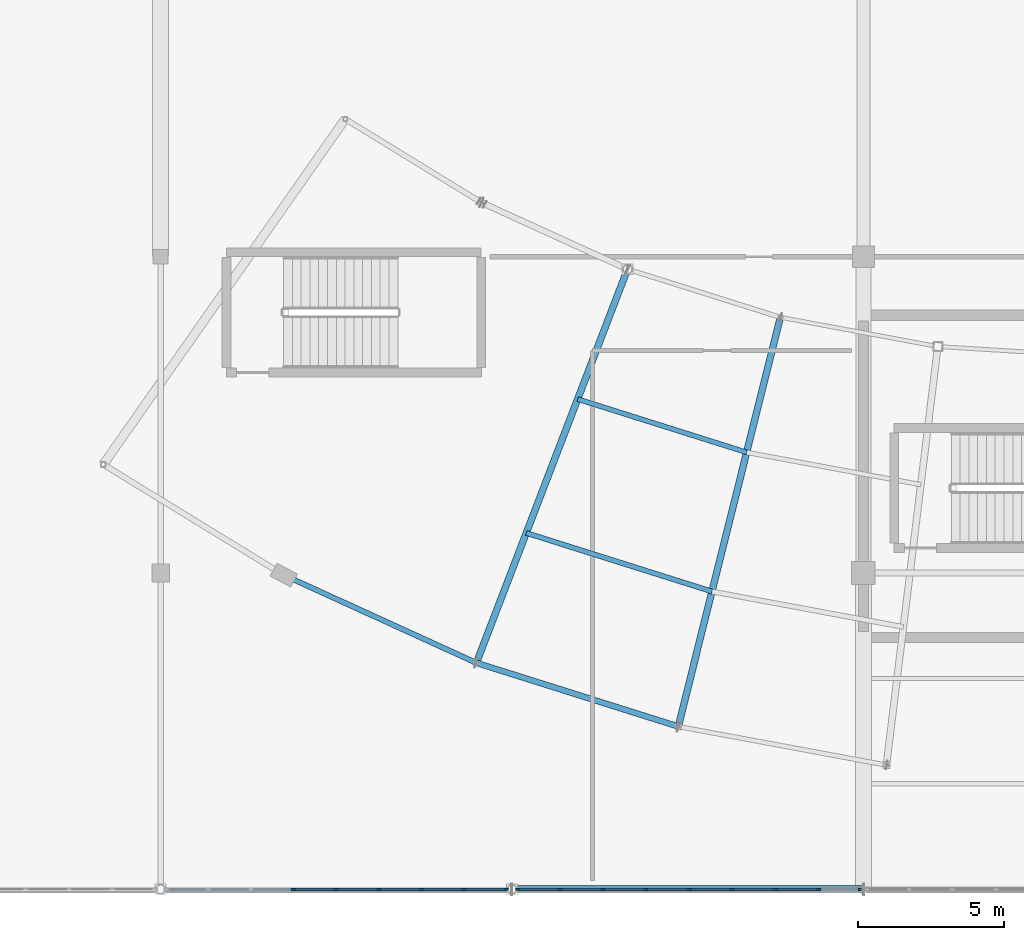
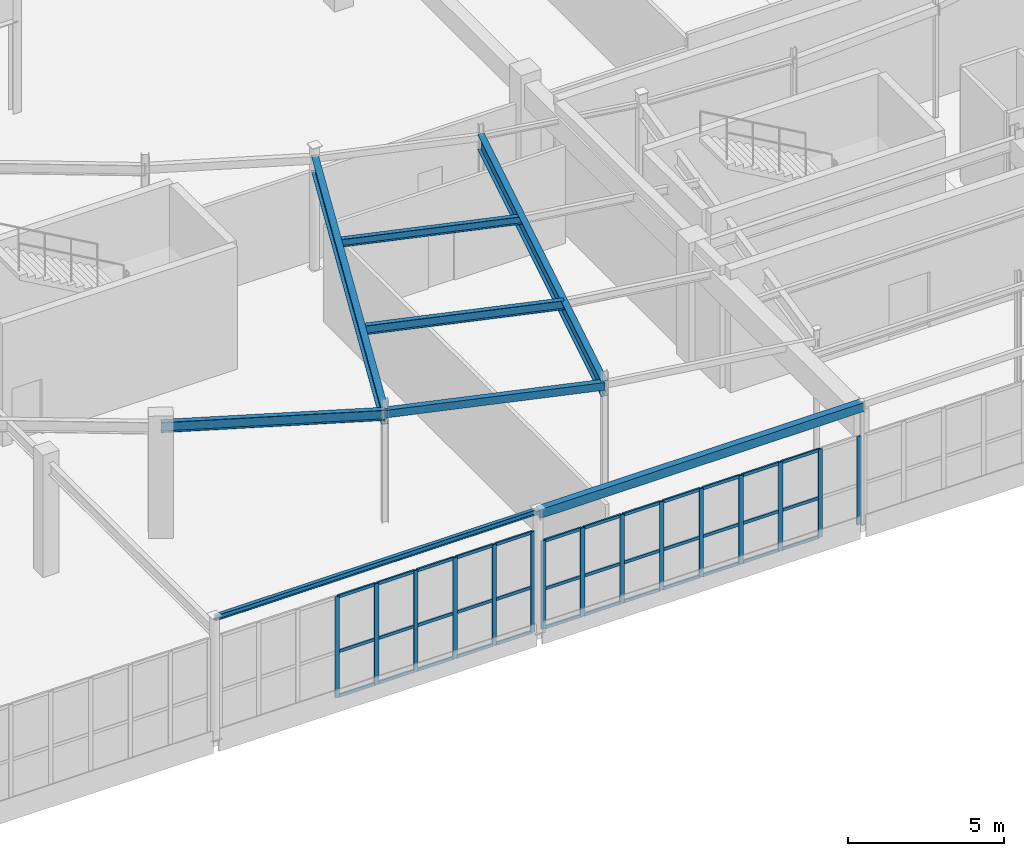
# One storey, part 59 of 186: 51 members, 8 beams, 2 elements without a shape of their own.
"""IFC4 building model written with IfcOpenShell, lengths in metres."""

import ifcopenshell
import ifcopenshell.guid

model = None  # the IFC model being written
_history = None  # IfcOwnerHistory: only IFC2X3 demands one
_inside = {}  # id of a spatial element -> (the spatial element, [elements in it])
_under = {}  # id of a project, library or spatial element -> (it, [spatial elements below it])
_declared = {}  # id of a project -> (the project, [libraries it declares])
_typed = {}  # id of a type object -> (the type object, [elements of that type])
_made_of = {}  # id of a material, layer set ... -> (it, [elements and type objects made of it])


def new_model(schema):
    """Start an empty IFC model of exactly this schema.

    Asked for "IFC4X3", IfcOpenShell would pick the latest addendum, in which some entities
    have other attributes; the version numbers below select the first issue.
    IFC2X3 requires an IfcOwnerHistory on every rooted entity: one is made here for all.
    """
    global model, _history
    if schema == "IFC4X3":
        model = ifcopenshell.file(schema_version=(4, 3, 0, 0))
    else:
        model = ifcopenshell.file(schema=schema)
    _inside.clear()
    _under.clear()
    _declared.clear()
    _typed.clear()
    _made_of.clear()
    _history = None
    if model.schema == "IFC2X3":
        org = make("IfcOrganization", Name="unknown")
        user = make(
            "IfcPersonAndOrganization",
            ThePerson=make("IfcPerson", FamilyName="unknown"),
            TheOrganization=org,
        )
        app = make(
            "IfcApplication",
            ApplicationDeveloper=org,
            Version="unknown",
            ApplicationFullName="unknown",
            ApplicationIdentifier="unknown",
        )
        _history = make(
            "IfcOwnerHistory",
            OwningUser=user,
            OwningApplication=app,
            ChangeAction="ADDED",
            CreationDate=0,
        )
    return model


def make(cls, **values):
    """One entity of the class cls with the attributes given. An attribute that is None is left unset."""
    return model.create_entity(
        cls, **{name: value for name, value in values.items() if value is not None}
    )


def rooted(cls, **values):
    """An entity with a GlobalId (a new one), such as an element, a storey or a relation."""
    return make(cls, GlobalId=ifcopenshell.guid.new(), OwnerHistory=_history, **values)


def si_unit(unit_type, name, prefix=None):
    """IfcSIUnit, for example si_unit("LENGTHUNIT", "METRE", prefix="MILLI")."""
    return make("IfcSIUnit", UnitType=unit_type, Prefix=prefix, Name=name)


def assignment(units):
    """IfcUnitAssignment: the units of a project."""
    return None if units is None else make("IfcUnitAssignment", Units=units)


def point(xyz):
    """IfcCartesianPoint."""
    return None if xyz is None else make("IfcCartesianPoint", Coordinates=xyz)


def direction(xyz):
    """IfcDirection."""
    return None if xyz is None else make("IfcDirection", DirectionRatios=xyz)


def frame(location, z_axis=None, x_axis=None):
    """IfcAxis2Placement3D, a coordinate frame: its origin and axes. An axis left out is left unset."""
    return make(
        "IfcAxis2Placement3D",
        Location=point(location),
        Axis=direction(z_axis),
        RefDirection=direction(x_axis),
    )


def frame_2d(location, x_axis=None):
    """IfcAxis2Placement2D, a coordinate frame in the plane: its origin and x axis."""
    return make(
        "IfcAxis2Placement2D", Location=point(location), RefDirection=direction(x_axis)
    )


def origin():
    """The frame at (0, 0, 0) with its axes left unset."""
    return frame((0.0, 0.0, 0.0))


def origin_2d():
    """The frame at (0, 0) in the plane with its x axis left unset."""
    return frame_2d((0.0, 0.0))


def place(relative_to, where):
    """IfcLocalPlacement: puts the frame where relative to a parent placement (None: the world)."""
    return make(
        "IfcLocalPlacement", PlacementRelTo=relative_to, RelativePlacement=where
    )


def context(
    kind, dimensions, precision=None, world=None, true_north=None, identifier=None
):
    """IfcGeometricRepresentationContext, for example the 3D "Model" context."""
    return make(
        "IfcGeometricRepresentationContext",
        ContextIdentifier=identifier,
        ContextType=kind,
        CoordinateSpaceDimension=dimensions,
        Precision=precision,
        WorldCoordinateSystem=world,
        TrueNorth=true_north,
    )


def subcontext(parent, identifier, kind, view, scale=None):
    """IfcGeometricRepresentationSubContext, for example "Body" below "Model"."""
    return make(
        "IfcGeometricRepresentationSubContext",
        ContextIdentifier=identifier,
        ContextType=kind,
        ParentContext=parent,
        TargetScale=scale,
        TargetView=view,
    )


def project(units=None, contexts=None):
    """IfcProject with its units and contexts."""
    return rooted(
        "IfcProject",
        Name="project",
        RepresentationContexts=contexts,
        UnitsInContext=assignment(units),
    )


def spatial(cls, under=None, at=None, **own):
    """A site, building, storey or space (cls), placed at a placement, below another one or the project."""
    s = rooted(cls, ObjectPlacement=at, **own)
    if under is not None:
        _under.setdefault(under.id(), (under, []))[1].append(s)
    return s


def profile(cls, at=None, kind="AREA", **sizes):
    """A parametric profile (cls). Its sizes go by their IFC names, for example OverallWidth=200.0."""
    return make(cls, ProfileType=kind, Position=at, **sizes)


def rectangle(**sizes):
    """IfcRectangleProfileDef."""
    return profile("IfcRectangleProfileDef", **sizes)


def hollow_rectangle(**sizes):
    """IfcRectangleHollowProfileDef."""
    return profile("IfcRectangleHollowProfileDef", **sizes)


def i_section(**sizes):
    """IfcIShapeProfileDef."""
    return profile("IfcIShapeProfileDef", **sizes)


def extrude(swept, where, along, depth):
    """IfcExtrudedAreaSolid: the profile swept, set in the frame where, extruded along a direction by depth."""
    return make(
        "IfcExtrudedAreaSolid",
        SweptArea=swept,
        Position=where,
        ExtrudedDirection=direction(along),
        Depth=depth,
    )


def shape(context_of_items, identifier, shape_type, items):
    """IfcShapeRepresentation: the items that make up one representation, for example the "Body"."""
    return make(
        "IfcShapeRepresentation",
        ContextOfItems=context_of_items,
        RepresentationIdentifier=identifier,
        RepresentationType=shape_type,
        Items=items,
    )


def material(Name=None, Category=None):
    """IfcMaterial."""
    return make("IfcMaterial", Name=Name, Category=Category)


def layer(
    of_material, thickness, ventilated=None, Name=None, Category=None, Priority=None
):
    """IfcMaterialLayer: one layer of a wall or slab, of a material (None: an air gap)."""
    return make(
        "IfcMaterialLayer",
        Material=of_material,
        LayerThickness=thickness,
        IsVentilated=ventilated,
        Name=Name,
        Category=Category,
        Priority=Priority,
    )


def layer_set(layers, Name=None):
    """IfcMaterialLayerSet."""
    return make("IfcMaterialLayerSet", MaterialLayers=layers, LayerSetName=Name)


def material_profile(
    of_material, cross_section, Name=None, Category=None, Priority=None
):
    """IfcMaterialProfile: a cross section and its material."""
    return make(
        "IfcMaterialProfile",
        Name=Name,
        Material=of_material,
        Profile=cross_section,
        Priority=Priority,
        Category=Category,
    )


def profile_set(profiles, Name=None, composite=None):
    """IfcMaterialProfileSet."""
    return make(
        "IfcMaterialProfileSet",
        Name=Name,
        MaterialProfiles=profiles,
        CompositeProfile=composite,
    )


def made_of(thing, what):
    """Note that an element or type object is made of a material, layer set ...; save() writes the relation."""
    if what is not None:
        _made_of.setdefault(what.id(), (what, []))[1].append(thing)
    return thing


def type_object(cls, material=None, **own):
    """A type object (cls), such as IfcWallType, which elements share."""
    return made_of(rooted(cls, **own), material)


def element(
    cls,
    number,
    at=None,
    inside=None,
    cuts=None,
    type_object=None,
    material=None,
    context=None,
    identifier="Body",
    shape_type=None,
    held_by="IfcProductDefinitionShape",
    body=None,
    shapes=None,
    **own,
):
    """One element of the class cls, such as IfcWall. Its Tag is "e" and its number.

    at: its placement. inside: the storey or other place that contains it. cuts: it is an
    opening in that element (IfcRelVoidsElement). A single representation is given by context,
    identifier, shape_type and body (its items); several are given by shapes. held_by: the class
    of the entity that holds the representations. save() writes the other relations.
    """
    e = rooted(cls, Tag="e%d" % number, ObjectPlacement=at, **own)
    if body is not None:
        shapes = [shape(context, identifier, shape_type, body)]
    if shapes is not None:
        e.Representation = make(held_by, Representations=shapes)
    if inside is not None:
        _inside.setdefault(inside.id(), (inside, []))[1].append(e)
    if cuts is not None:
        rooted(
            "IfcRelVoidsElement", RelatingBuildingElement=cuts, RelatedOpeningElement=e
        )
    if type_object is not None:
        _typed.setdefault(type_object.id(), (type_object, []))[1].append(e)
    return made_of(e, material)


def aggregate(whole, parts):
    """IfcRelAggregates: a whole, such as a stair, and the parts it consists of."""
    return rooted("IfcRelAggregates", RelatingObject=whole, RelatedObjects=parts)


def save(model, path):
    """Write the relations noted so far, then the file.

    IfcRelAggregates (storeys below a building ...), IfcRelContainedInSpatialStructure (elements
    in a storey), IfcRelDefinesByType, IfcRelAssociatesMaterial and IfcRelDeclares: one each for
    every whole, place, type object, material and project.
    """
    for whole, parts in _under.values():
        aggregate(whole, parts)
    for where, things in _inside.values():
        rooted(
            "IfcRelContainedInSpatialStructure",
            RelatedElements=things,
            RelatingStructure=where,
        )
    for kind, things in _typed.values():
        rooted("IfcRelDefinesByType", RelatedObjects=things, RelatingType=kind)
    for what, things in _made_of.values():
        rooted("IfcRelAssociatesMaterial", RelatedObjects=things, RelatingMaterial=what)
    for by, libraries in _declared.values():
        rooted("IfcRelDeclares", RelatingContext=by, RelatedDefinitions=libraries)
    model.write(path)


model = new_model("IFC4")

# Units and contexts
model_context = context("Model", 3, precision=1e-05, world=origin(), true_north=direction((0.0, 1.0)))
body_context = subcontext(model_context, "Body", "Model", "MODEL_VIEW")
ifc_project = project(units=[si_unit("LENGTHUNIT", "METRE"), si_unit("AREAUNIT", "SQUARE_METRE"), si_unit("VOLUMEUNIT", "CUBIC_METRE"), si_unit("PLANEANGLEUNIT", "RADIAN"), si_unit("MASSUNIT", "GRAM", prefix="KILO")], contexts=[model_context])

# Site, building, storey
site_placement = place(None, origin())
site = spatial("IfcSite", under=ifc_project, at=site_placement, CompositionType="ELEMENT")
building_placement = place(site_placement, origin())
building = spatial("IfcBuilding", under=site, at=building_placement, Name="Tarnwether General Hospital", CompositionType="ELEMENT")
storey_placement = place(building_placement, frame((0.0, 0.0, 9.60009765625)))
storey = spatial("IfcBuildingStorey", under=building, at=storey_placement, Name="L02", CompositionType="ELEMENT", Elevation=9.60009765625)

# Beams
ifc_material_1 = material(Name="Steel Grade 350 (350 MPa)", Category="steel")
ifc_material_profile_1 = material_profile(ifc_material_1, i_section(OverallWidth=0.22900390625, OverallDepth=0.612060546875, WebThickness=0.011962890625, FlangeThickness=0.01953125, at=origin_2d()), Name="610UB125")
ifc_profile_set_1 = profile_set([ifc_material_profile_1], Name="Steel Grade 350 (350 MPa)")
beam_type_1 = type_object("IfcBeamType", Name="BM-G03", PredefinedType="BEAM", material=ifc_profile_set_1)
beam_1_placement = place(storey_placement, frame((70.784912109375, 7.73193359375, 4.1240234375), z_axis=(0.358334838026, 0.933593136145, 0.0), x_axis=(-0.933593136145, 0.358334838026, 0.0)))
element("IfcBeam", 1, at=beam_1_placement, inside=storey, type_object=beam_type_1, Name="Curved Ward SE Radial Girder BMG-L02-7078_773-7594_2118-2068", PredefinedType="BEAM", context=body_context, shape_type="SweptSolid", body=[
    extrude(i_section(OverallWidth=0.22900390625, OverallDepth=0.612060546875, WebThickness=0.011962890625, FlangeThickness=0.01953125, at=origin_2d()), origin(), (0.0, 0.0, 1.0), 14.400390625),
])
ifc_material_2 = material(Name="Steel Grade 350 (350 MPa)", Category="steel")
ifc_material_profile_2 = material_profile(ifc_material_2, i_section(OverallWidth=0.22802734375, OverallDepth=0.60693359375, WebThickness=0.01123046875, FlangeThickness=0.017333984375, at=origin_2d()), Name="610UB113")
ifc_profile_set_2 = profile_set([ifc_material_profile_2], Name="Steel Grade 350 (350 MPa)")
beam_type_2 = type_object("IfcBeamType", Name="BM-G04", PredefinedType="BEAM", material=ifc_profile_set_2)
beam_2_placement = place(storey_placement, frame((77.677978515625, 5.55810546875, 4.12646484375), z_axis=(0.241941215118, 0.970290909175, 0.0), x_axis=(-0.970290909175, 0.241941215118, 0.0)))
element("IfcBeam", 2, at=beam_2_placement, inside=storey, type_object=beam_type_2, Name="Curved Ward SE Radial Girder BMG-L02-7768_556-8116_1953-2069", PredefinedType="BEAM", context=body_context, shape_type="SweptSolid", body=[
    extrude(i_section(OverallWidth=0.22802734375, OverallDepth=0.60693359375, WebThickness=0.01123046875, FlangeThickness=0.017333984375, at=origin_2d()), origin(), (0.0, 0.0, 1.0), 14.400634765625),
])
ifc_material_3 = material(Name="Steel Grade 350 (350 MPa)", Category="steel")
ifc_material_profile_3 = material_profile(ifc_material_3, i_section(OverallWidth=0.1708984375, OverallDepth=0.35595703125, WebThickness=0.00732421875, FlangeThickness=0.011474609375, at=origin_2d()), Name="360UB50.7")
ifc_profile_set_3 = profile_set([ifc_material_profile_3], Name="Steel Grade 350 (350 MPa)")
beam_type_3 = type_object("IfcBeamType", Name="BM-J04", PredefinedType="JOIST", material=ifc_profile_set_3)
beam_3_placement = place(storey_placement, frame((72.488037109375, 12.1689453125, 4.251953125), z_axis=(0.953671429399, -0.300850136693, 0.0), x_axis=(0.300850136693, 0.953671429399, 0.0)))
element("IfcBeam", 3, at=beam_3_placement, inside=storey, type_object=beam_type_3, Name="Curved Ward SE Chord Joist BMG-L02-7249_1217-7883_1017-2080", PredefinedType="JOIST", context=body_context, shape_type="SweptSolid", body=[
    extrude(i_section(OverallWidth=0.1708984375, OverallDepth=0.35595703125, WebThickness=0.00732421875, FlangeThickness=0.011474609375, at=origin_2d()), origin(), (0.0, 0.0, 1.0), 6.64794921875),
])
ifc_material_4 = material(Name="Steel Grade 350 (350 MPa)", Category="steel")
ifc_material_profile_4 = material_profile(ifc_material_4, i_section(OverallWidth=0.1650390625, OverallDepth=0.303955078125, WebThickness=0.006103515625, FlangeThickness=0.01025390625, at=origin_2d()), Name="310UB40.4")
ifc_profile_set_4 = profile_set([ifc_material_profile_4], Name="Steel Grade 350 (350 MPa)")
beam_type_4 = type_object("IfcBeamType", Name="BM-J07", PredefinedType="JOIST", material=ifc_profile_set_4)
beam_4_placement = place(storey_placement, frame((74.241943359375, 16.739013671875, 4.27783203125), z_axis=(0.953725879816, -0.300677478654, 0.0), x_axis=(0.300677478654, 0.953725879816, 0.0)))
element("IfcBeam", 4, at=beam_4_placement, inside=storey, type_object=beam_type_4, Name="Curved Ward SE Chord Joist BMG-L02-7424_1674-8001_1492-2081", PredefinedType="JOIST", context=body_context, shape_type="SweptSolid", body=[
    extrude(i_section(OverallWidth=0.1650390625, OverallDepth=0.303955078125, WebThickness=0.006103515625, FlangeThickness=0.01025390625, at=origin_2d()), origin(), (0.0, 0.0, 1.0), 6.050048828125),
])
ifc_material_5 = material(Name="Steel Grade 350 (350 MPa)", Category="steel")
ifc_material_profile_5 = material_profile(ifc_material_5, i_section(OverallWidth=0.177978515625, OverallDepth=0.403076171875, WebThickness=0.007568359375, FlangeThickness=0.010986328125, at=origin_2d()), Name="410UB53.7")
ifc_profile_set_5 = profile_set([ifc_material_profile_5], Name="Steel Grade 350 (350 MPa)")
beam_type_5 = type_object("IfcBeamType", Name="BM-SP2", PredefinedType="SPANDREL", material=ifc_profile_set_5)
beam_5_placement = place(storey_placement, frame((64.20703125, 10.72998046875, 4.228515625), z_axis=(0.909943842177, -0.414731484316, 0.0), x_axis=(0.414731484316, 0.909943842177, 0.0)))
element("IfcBeam", 5, at=beam_5_placement, inside=storey, type_object=beam_type_5, Name="Curved Ward SE Outer Spandrel BMG-L02-6421_1073-7078_773-2076", PredefinedType="SPANDREL", context=body_context, shape_type="SweptSolid", body=[
    extrude(i_section(OverallWidth=0.177978515625, OverallDepth=0.403076171875, WebThickness=0.007568359375, FlangeThickness=0.010986328125, at=origin_2d()), origin(), (0.0, 0.0, 1.0), 7.22900390625),
])
ifc_material_6 = material(Name="Steel Grade C350L0 (350 MPa)", Category="steel")
ifc_material_profile_6 = material_profile(ifc_material_6, hollow_rectangle(XDim=0.199951171875, YDim=0.300048828125, WallThickness=0.012451171875, at=origin_2d()), Name="RHS300x200x12.5")
ifc_profile_set_6 = profile_set([ifc_material_profile_6], Name="Steel Grade C350L0 (350 MPa)")
beam_type_6 = type_object("IfcBeamType", Name="BM-SP3", PredefinedType="SPANDREL", material=ifc_profile_set_6)
beam_6_placement = place(storey_placement, frame((70.784912109375, 7.73193359375, 4.27978515625), z_axis=(0.953698988948, -0.300762761125, 0.0), x_axis=(0.300762761125, 0.953698988948, 0.0)))
element("IfcBeam", 6, at=beam_6_placement, inside=storey, type_object=beam_type_6, Name="Curved Ward SE Outer Spandrel BMG-L02-7078_773-7768_556-2078", PredefinedType="SPANDREL", context=body_context, shape_type="SweptSolid", body=[
    extrude(hollow_rectangle(XDim=0.199951171875, YDim=0.300048828125, WallThickness=0.012451171875, at=origin_2d()), origin(), (0.0, 0.0, 1.0), 7.227783203125),
])
ifc_material_7 = material(Name="Steel Grade 350 (350 MPa)", Category="steel")
ifc_material_profile_7 = material_profile(ifc_material_7, i_section(OverallWidth=0.133056640625, OverallDepth=0.201904296875, WebThickness=0.0048828125, FlangeThickness=0.007080078125, at=origin_2d()), Name="200UB22.3")
ifc_profile_set_7 = profile_set([ifc_material_profile_7], Name="Steel Grade 350 (350 MPa)")
beam_type_7 = type_object("IfcBeamType", Name="BM-SP6", PredefinedType="SPANDREL", material=ifc_profile_set_7)
beam_7_placement = place(storey_placement, frame((60.0, 0.0, 4.698974609375), z_axis=(1.0, 0.0, 0.0), x_axis=(0.0, 1.0, 0.0)))
element("IfcBeam", 7, at=beam_7_placement, inside=storey, type_object=beam_type_7, Name="Primary Girder BMG-L02-6000_0-7200_0-1485", PredefinedType="SPANDREL", context=body_context, shape_type="SweptSolid", body=[
    extrude(i_section(OverallWidth=0.133056640625, OverallDepth=0.201904296875, WebThickness=0.0048828125, FlangeThickness=0.007080078125, at=origin_2d()), origin(), (0.0, 0.0, 1.0), 12.0),
])
ifc_material_8 = material(Name="Steel Grade C350L0 (350 MPa)", Category="steel")
ifc_material_profile_8 = material_profile(ifc_material_8, hollow_rectangle(XDim=0.25, YDim=0.35009765625, WallThickness=0.012451171875, at=origin_2d()), Name="RHS350x250x12.5")
ifc_profile_set_8 = profile_set([ifc_material_profile_8], Name="Steel Grade C350L0 (350 MPa)")
beam_type_8 = type_object("IfcBeamType", Name="BM-SP7", PredefinedType="SPANDREL", material=ifc_profile_set_8)
beam_8_placement = place(storey_placement, frame((72.0, 0.0, 4.625), z_axis=(1.0, 0.0, 0.0), x_axis=(0.0, 1.0, 0.0)))
element("IfcBeam", 8, at=beam_8_placement, inside=storey, type_object=beam_type_8, Name="Primary Girder BMG-L02-7200_0-8400_0-1497", PredefinedType="SPANDREL", context=body_context, shape_type="SweptSolid", body=[
    extrude(hollow_rectangle(XDim=0.25, YDim=0.35009765625, WallThickness=0.012451171875, at=origin_2d()), origin(), (0.0, 0.0, 1.0), 12.0),
])

# Curtain wall, members
ifc_material_9 = material(Name="Anodised aluminium", Category="aluminium")
ifc_layer = layer(ifc_material_9, 0.159912109375)
ifc_layer_set = layer_set([ifc_layer], Name="Anodised aluminium")
curtain_wall_type = type_object("IfcCurtainWallType", Name="CW-13", PredefinedType="NOTDEFINED", material=ifc_layer_set)
curtain_wall_1_placement = place(storey_placement, origin())
curtain_wall_1 = element("IfcCurtainWall", 9, at=curtain_wall_1_placement, inside=storey, type_object=curtain_wall_type, Name="Curtain Wall CWG-L02-839_0-0413", PredefinedType="NOTDEFINED")
ifc_material_10 = material(Name="Anodised aluminium", Category="aluminium")
ifc_material_profile_9 = material_profile(ifc_material_10, rectangle(XDim=0.06005859375, YDim=0.159912109375, at=origin_2d()), Name="ALU-MUL-60x160")
ifc_profile_set_9 = profile_set([ifc_material_profile_9], Name="Anodised aluminium")
member_type_1 = type_object("IfcMemberType", Name="CW-ML1", PredefinedType="MULLION", material=ifc_profile_set_9)
member_1_placement = place(storey_placement, frame((83.89892578125, 0.0, 0.0), z_axis=(0.0, 0.0, 1.0), x_axis=(0.0, -1.0, 0.0)))
member_1 = element("IfcMember", 10, at=member_1_placement, type_object=member_type_1, Name="CW-13 mullion 1", PredefinedType="MULLION", context=body_context, shape_type="SweptSolid", body=[
    extrude(rectangle(XDim=0.06005859375, YDim=0.159912109375, at=origin_2d()), origin(), (0.0, 0.0, 1.0), 3.46484375),
])
member_2_placement = place(storey_placement, frame((82.459228515625, 0.0, 0.0), z_axis=(0.0, 0.0, 1.0), x_axis=(0.0, -1.0, 0.0)))
member_2 = element("IfcMember", 11, at=member_2_placement, type_object=member_type_1, Name="CW-13 mullion 2", PredefinedType="MULLION", context=body_context, shape_type="SweptSolid", body=[
    extrude(rectangle(XDim=0.06005859375, YDim=0.159912109375, at=origin_2d()), origin(), (0.0, 0.0, 1.0), 3.46484375),
])
member_3_placement = place(storey_placement, frame((80.9892578125, 0.0, 0.0), z_axis=(0.0, 0.0, 1.0), x_axis=(0.0, -1.0, 0.0)))
member_3 = element("IfcMember", 12, at=member_3_placement, type_object=member_type_1, Name="CW-13 mullion 3", PredefinedType="MULLION", context=body_context, shape_type="SweptSolid", body=[
    extrude(rectangle(XDim=0.06005859375, YDim=0.159912109375, at=origin_2d()), origin(), (0.0, 0.0, 1.0), 3.46484375),
])
member_4_placement = place(storey_placement, frame((79.519287109375, 0.0, 0.0), z_axis=(0.0, 0.0, 1.0), x_axis=(0.0, -1.0, 0.0)))
member_4 = element("IfcMember", 13, at=member_4_placement, type_object=member_type_1, Name="CW-13 mullion 4", PredefinedType="MULLION", context=body_context, shape_type="SweptSolid", body=[
    extrude(rectangle(XDim=0.06005859375, YDim=0.159912109375, at=origin_2d()), origin(), (0.0, 0.0, 1.0), 3.46484375),
])
member_5_placement = place(storey_placement, frame((78.049560546875, 0.0, 0.0), z_axis=(0.0, 0.0, 1.0), x_axis=(0.0, -1.0, 0.0)))
member_5 = element("IfcMember", 14, at=member_5_placement, type_object=member_type_1, Name="CW-13 mullion 5", PredefinedType="MULLION", context=body_context, shape_type="SweptSolid", body=[
    extrude(rectangle(XDim=0.06005859375, YDim=0.159912109375, at=origin_2d()), origin(), (0.0, 0.0, 1.0), 3.46484375),
])
member_6_placement = place(storey_placement, frame((76.57958984375, 0.0, 0.0), z_axis=(0.0, 0.0, 1.0), x_axis=(0.0, -1.0, 0.0)))
member_6 = element("IfcMember", 15, at=member_6_placement, type_object=member_type_1, Name="CW-13 mullion 6", PredefinedType="MULLION", context=body_context, shape_type="SweptSolid", body=[
    extrude(rectangle(XDim=0.06005859375, YDim=0.159912109375, at=origin_2d()), origin(), (0.0, 0.0, 1.0), 3.46484375),
])
member_7_placement = place(storey_placement, frame((75.10986328125, 0.0, 0.0), z_axis=(0.0, 0.0, 1.0), x_axis=(0.0, -1.0, 0.0)))
member_7 = element("IfcMember", 16, at=member_7_placement, type_object=member_type_1, Name="CW-13 mullion 7", PredefinedType="MULLION", context=body_context, shape_type="SweptSolid", body=[
    extrude(rectangle(XDim=0.06005859375, YDim=0.159912109375, at=origin_2d()), origin(), (0.0, 0.0, 1.0), 3.46484375),
])
member_8_placement = place(storey_placement, frame((73.639892578125, 0.0, 0.0), z_axis=(0.0, 0.0, 1.0), x_axis=(0.0, -1.0, 0.0)))
member_8 = element("IfcMember", 17, at=member_8_placement, type_object=member_type_1, Name="CW-13 mullion 8", PredefinedType="MULLION", context=body_context, shape_type="SweptSolid", body=[
    extrude(rectangle(XDim=0.06005859375, YDim=0.159912109375, at=origin_2d()), origin(), (0.0, 0.0, 1.0), 3.46484375),
])
member_9_placement = place(storey_placement, frame((72.199951171875, 0.0, 0.0), z_axis=(0.0, 0.0, 1.0), x_axis=(0.0, -1.0, 0.0)))
member_9 = element("IfcMember", 18, at=member_9_placement, type_object=member_type_1, Name="CW-13 mullion 9", PredefinedType="MULLION", context=body_context, shape_type="SweptSolid", body=[
    extrude(rectangle(XDim=0.06005859375, YDim=0.159912109375, at=origin_2d()), origin(), (0.0, 0.0, 1.0), 3.46484375),
])

curtain_wall_2_placement = place(storey_placement, origin())
curtain_wall_2 = element("IfcCurtainWall", 19, at=curtain_wall_2_placement, inside=storey, type_object=curtain_wall_type, Name="Curtain Wall CWG-L02-718_0-0414", PredefinedType="NOTDEFINED")
member_10_placement = place(storey_placement, frame((71.800048828125, 0.0, 0.0), z_axis=(0.0, 0.0, 1.0), x_axis=(0.0, -1.0, 0.0)))
member_10 = element("IfcMember", 20, at=member_10_placement, type_object=member_type_1, Name="CW-13 mullion 1", PredefinedType="MULLION", context=body_context, shape_type="SweptSolid", body=[
    extrude(rectangle(XDim=0.06005859375, YDim=0.159912109375, at=origin_2d()), origin(), (0.0, 0.0, 1.0), 3.9580078125),
])
member_11_placement = place(storey_placement, frame((70.37255859375, 0.0, 0.0), z_axis=(0.0, 0.0, 1.0), x_axis=(0.0, -1.0, 0.0)))
member_11 = element("IfcMember", 21, at=member_11_placement, type_object=member_type_1, Name="CW-13 mullion 2", PredefinedType="MULLION", context=body_context, shape_type="SweptSolid", body=[
    extrude(rectangle(XDim=0.06005859375, YDim=0.159912109375, at=origin_2d()), origin(), (0.0, 0.0, 1.0), 3.9580078125),
])
member_12_placement = place(storey_placement, frame((68.9150390625, 0.0, 0.0), z_axis=(0.0, 0.0, 1.0), x_axis=(0.0, -1.0, 0.0)))
member_12 = element("IfcMember", 22, at=member_12_placement, type_object=member_type_1, Name="CW-13 mullion 3", PredefinedType="MULLION", context=body_context, shape_type="SweptSolid", body=[
    extrude(rectangle(XDim=0.06005859375, YDim=0.159912109375, at=origin_2d()), origin(), (0.0, 0.0, 1.0), 3.9580078125),
])
member_13_placement = place(storey_placement, frame((67.45751953125, 0.0, 0.0), z_axis=(0.0, 0.0, 1.0), x_axis=(0.0, -1.0, 0.0)))
member_13 = element("IfcMember", 23, at=member_13_placement, type_object=member_type_1, Name="CW-13 mullion 4", PredefinedType="MULLION", context=body_context, shape_type="SweptSolid", body=[
    extrude(rectangle(XDim=0.06005859375, YDim=0.159912109375, at=origin_2d()), origin(), (0.0, 0.0, 1.0), 3.9580078125),
])
member_14_placement = place(storey_placement, frame((66.0, 0.0, 0.0), z_axis=(0.0, 0.0, 1.0), x_axis=(0.0, -1.0, 0.0)))
member_14 = element("IfcMember", 24, at=member_14_placement, type_object=member_type_1, Name="CW-13 mullion 5", PredefinedType="MULLION", context=body_context, shape_type="SweptSolid", body=[
    extrude(rectangle(XDim=0.06005859375, YDim=0.159912109375, at=origin_2d()), origin(), (0.0, 0.0, 1.0), 3.9580078125),
])
member_15_placement = place(storey_placement, frame((64.54248046875, 0.0, 0.0), z_axis=(0.0, 0.0, 1.0), x_axis=(0.0, -1.0, 0.0)))
member_15 = element("IfcMember", 25, at=member_15_placement, type_object=member_type_1, Name="CW-13 mullion 6", PredefinedType="MULLION", context=body_context, shape_type="SweptSolid", body=[
    extrude(rectangle(XDim=0.06005859375, YDim=0.159912109375, at=origin_2d()), origin(), (0.0, 0.0, 1.0), 3.9580078125),
])

# Member
ifc_material_11 = material(Name="Anodised aluminium", Category="aluminium")
ifc_material_profile_10 = material_profile(ifc_material_11, rectangle(XDim=0.06005859375, YDim=0.1201171875, at=origin_2d()), Name="ALU-TRN-60x120")
ifc_profile_set_10 = profile_set([ifc_material_profile_10], Name="Anodised aluminium")
member_type_2 = type_object("IfcMemberType", Name="CW-TR1", PredefinedType="USERDEFINED", material=ifc_profile_set_10)
member_16_placement = place(storey_placement, frame((82.42919921875, 0.0, 0.02978515625), z_axis=(-1.0, 0.0, 0.0), x_axis=(0.0, -1.0, 0.0)))
member_16 = element("IfcMember", 26, at=member_16_placement, type_object=member_type_2, Name="CW-13 transom 2.1", ObjectType="TRANSOM", PredefinedType="USERDEFINED", context=body_context, shape_type="SweptSolid", body=[
    extrude(rectangle(XDim=0.06005859375, YDim=0.1201171875, at=origin_2d()), origin(), (0.0, 0.0, 1.0), 1.409912109375),
])

member_17_placement = place(storey_placement, frame((82.42919921875, 0.0, 1.55908203125), z_axis=(-1.0, 0.0, 0.0), x_axis=(0.0, -1.0, 0.0)))
member_17 = element("IfcMember", 27, at=member_17_placement, type_object=member_type_2, Name="CW-13 transom 2.2", ObjectType="TRANSOM", PredefinedType="USERDEFINED", context=body_context, shape_type="SweptSolid", body=[
    extrude(rectangle(XDim=0.06005859375, YDim=0.1201171875, at=origin_2d()), origin(), (0.0, 0.0, 1.0), 1.409912109375),
])

member_18_placement = place(storey_placement, frame((82.42919921875, 0.0, 3.434814453125), z_axis=(-1.0, 0.0, 0.0), x_axis=(0.0, -1.0, 0.0)))
member_18 = element("IfcMember", 28, at=member_18_placement, type_object=member_type_2, Name="CW-13 transom 2.3", ObjectType="TRANSOM", PredefinedType="USERDEFINED", context=body_context, shape_type="SweptSolid", body=[
    extrude(rectangle(XDim=0.06005859375, YDim=0.1201171875, at=origin_2d()), origin(), (0.0, 0.0, 1.0), 1.409912109375),
])

member_19_placement = place(storey_placement, frame((80.959228515625, 0.0, 0.02978515625), z_axis=(-1.0, 0.0, 0.0), x_axis=(0.0, -1.0, 0.0)))
member_19 = element("IfcMember", 29, at=member_19_placement, type_object=member_type_2, Name="CW-13 transom 3.1", ObjectType="TRANSOM", PredefinedType="USERDEFINED", context=body_context, shape_type="SweptSolid", body=[
    extrude(rectangle(XDim=0.06005859375, YDim=0.1201171875, at=origin_2d()), origin(), (0.0, 0.0, 1.0), 1.409912109375),
])

member_20_placement = place(storey_placement, frame((80.959228515625, 0.0, 1.55908203125), z_axis=(-1.0, 0.0, 0.0), x_axis=(0.0, -1.0, 0.0)))
member_20 = element("IfcMember", 30, at=member_20_placement, type_object=member_type_2, Name="CW-13 transom 3.2", ObjectType="TRANSOM", PredefinedType="USERDEFINED", context=body_context, shape_type="SweptSolid", body=[
    extrude(rectangle(XDim=0.06005859375, YDim=0.1201171875, at=origin_2d()), origin(), (0.0, 0.0, 1.0), 1.409912109375),
])

member_21_placement = place(storey_placement, frame((80.959228515625, 0.0, 3.434814453125), z_axis=(-1.0, 0.0, 0.0), x_axis=(0.0, -1.0, 0.0)))
member_21 = element("IfcMember", 31, at=member_21_placement, type_object=member_type_2, Name="CW-13 transom 3.3", ObjectType="TRANSOM", PredefinedType="USERDEFINED", context=body_context, shape_type="SweptSolid", body=[
    extrude(rectangle(XDim=0.06005859375, YDim=0.1201171875, at=origin_2d()), origin(), (0.0, 0.0, 1.0), 1.409912109375),
])

member_22_placement = place(storey_placement, frame((79.4892578125, 0.0, 0.02978515625), z_axis=(-1.0, 0.0, 0.0), x_axis=(0.0, -1.0, 0.0)))
member_22 = element("IfcMember", 32, at=member_22_placement, type_object=member_type_2, Name="CW-13 transom 4.1", ObjectType="TRANSOM", PredefinedType="USERDEFINED", context=body_context, shape_type="SweptSolid", body=[
    extrude(rectangle(XDim=0.06005859375, YDim=0.1201171875, at=origin_2d()), origin(), (0.0, 0.0, 1.0), 1.40966796875),
])

member_23_placement = place(storey_placement, frame((79.4892578125, 0.0, 1.55908203125), z_axis=(-1.0, 0.0, 0.0), x_axis=(0.0, -1.0, 0.0)))
member_23 = element("IfcMember", 33, at=member_23_placement, type_object=member_type_2, Name="CW-13 transom 4.2", ObjectType="TRANSOM", PredefinedType="USERDEFINED", context=body_context, shape_type="SweptSolid", body=[
    extrude(rectangle(XDim=0.06005859375, YDim=0.1201171875, at=origin_2d()), origin(), (0.0, 0.0, 1.0), 1.40966796875),
])

member_24_placement = place(storey_placement, frame((79.4892578125, 0.0, 3.434814453125), z_axis=(-1.0, 0.0, 0.0), x_axis=(0.0, -1.0, 0.0)))
member_24 = element("IfcMember", 34, at=member_24_placement, type_object=member_type_2, Name="CW-13 transom 4.3", ObjectType="TRANSOM", PredefinedType="USERDEFINED", context=body_context, shape_type="SweptSolid", body=[
    extrude(rectangle(XDim=0.06005859375, YDim=0.1201171875, at=origin_2d()), origin(), (0.0, 0.0, 1.0), 1.40966796875),
])

member_25_placement = place(storey_placement, frame((78.01953125, 0.0, 0.02978515625), z_axis=(-1.0, 0.0, 0.0), x_axis=(0.0, -1.0, 0.0)))
member_25 = element("IfcMember", 35, at=member_25_placement, type_object=member_type_2, Name="CW-13 transom 5.1", ObjectType="TRANSOM", PredefinedType="USERDEFINED", context=body_context, shape_type="SweptSolid", body=[
    extrude(rectangle(XDim=0.06005859375, YDim=0.1201171875, at=origin_2d()), origin(), (0.0, 0.0, 1.0), 1.409912109375),
])

member_26_placement = place(storey_placement, frame((78.01953125, 0.0, 1.55908203125), z_axis=(-1.0, 0.0, 0.0), x_axis=(0.0, -1.0, 0.0)))
member_26 = element("IfcMember", 36, at=member_26_placement, type_object=member_type_2, Name="CW-13 transom 5.2", ObjectType="TRANSOM", PredefinedType="USERDEFINED", context=body_context, shape_type="SweptSolid", body=[
    extrude(rectangle(XDim=0.06005859375, YDim=0.1201171875, at=origin_2d()), origin(), (0.0, 0.0, 1.0), 1.409912109375),
])

member_27_placement = place(storey_placement, frame((78.01953125, 0.0, 3.434814453125), z_axis=(-1.0, 0.0, 0.0), x_axis=(0.0, -1.0, 0.0)))
member_27 = element("IfcMember", 37, at=member_27_placement, type_object=member_type_2, Name="CW-13 transom 5.3", ObjectType="TRANSOM", PredefinedType="USERDEFINED", context=body_context, shape_type="SweptSolid", body=[
    extrude(rectangle(XDim=0.06005859375, YDim=0.1201171875, at=origin_2d()), origin(), (0.0, 0.0, 1.0), 1.409912109375),
])

member_28_placement = place(storey_placement, frame((76.549560546875, 0.0, 0.02978515625), z_axis=(-1.0, 0.0, 0.0), x_axis=(0.0, -1.0, 0.0)))
member_28 = element("IfcMember", 38, at=member_28_placement, type_object=member_type_2, Name="CW-13 transom 6.1", ObjectType="TRANSOM", PredefinedType="USERDEFINED", context=body_context, shape_type="SweptSolid", body=[
    extrude(rectangle(XDim=0.06005859375, YDim=0.1201171875, at=origin_2d()), origin(), (0.0, 0.0, 1.0), 1.409912109375),
])

member_29_placement = place(storey_placement, frame((76.549560546875, 0.0, 1.55908203125), z_axis=(-1.0, 0.0, 0.0), x_axis=(0.0, -1.0, 0.0)))
member_29 = element("IfcMember", 39, at=member_29_placement, type_object=member_type_2, Name="CW-13 transom 6.2", ObjectType="TRANSOM", PredefinedType="USERDEFINED", context=body_context, shape_type="SweptSolid", body=[
    extrude(rectangle(XDim=0.06005859375, YDim=0.1201171875, at=origin_2d()), origin(), (0.0, 0.0, 1.0), 1.409912109375),
])

member_30_placement = place(storey_placement, frame((76.549560546875, 0.0, 3.434814453125), z_axis=(-1.0, 0.0, 0.0), x_axis=(0.0, -1.0, 0.0)))
member_30 = element("IfcMember", 40, at=member_30_placement, type_object=member_type_2, Name="CW-13 transom 6.3", ObjectType="TRANSOM", PredefinedType="USERDEFINED", context=body_context, shape_type="SweptSolid", body=[
    extrude(rectangle(XDim=0.06005859375, YDim=0.1201171875, at=origin_2d()), origin(), (0.0, 0.0, 1.0), 1.409912109375),
])

member_31_placement = place(storey_placement, frame((75.079833984375, 0.0, 0.02978515625), z_axis=(-1.0, 0.0, 0.0), x_axis=(0.0, -1.0, 0.0)))
member_31 = element("IfcMember", 41, at=member_31_placement, type_object=member_type_2, Name="CW-13 transom 7.1", ObjectType="TRANSOM", PredefinedType="USERDEFINED", context=body_context, shape_type="SweptSolid", body=[
    extrude(rectangle(XDim=0.06005859375, YDim=0.1201171875, at=origin_2d()), origin(), (0.0, 0.0, 1.0), 1.409912109375),
])

member_32_placement = place(storey_placement, frame((75.079833984375, 0.0, 1.55908203125), z_axis=(-1.0, 0.0, 0.0), x_axis=(0.0, -1.0, 0.0)))
member_32 = element("IfcMember", 42, at=member_32_placement, type_object=member_type_2, Name="CW-13 transom 7.2", ObjectType="TRANSOM", PredefinedType="USERDEFINED", context=body_context, shape_type="SweptSolid", body=[
    extrude(rectangle(XDim=0.06005859375, YDim=0.1201171875, at=origin_2d()), origin(), (0.0, 0.0, 1.0), 1.409912109375),
])

member_33_placement = place(storey_placement, frame((75.079833984375, 0.0, 3.434814453125), z_axis=(-1.0, 0.0, 0.0), x_axis=(0.0, -1.0, 0.0)))
member_33 = element("IfcMember", 43, at=member_33_placement, type_object=member_type_2, Name="CW-13 transom 7.3", ObjectType="TRANSOM", PredefinedType="USERDEFINED", context=body_context, shape_type="SweptSolid", body=[
    extrude(rectangle(XDim=0.06005859375, YDim=0.1201171875, at=origin_2d()), origin(), (0.0, 0.0, 1.0), 1.409912109375),
])

member_34_placement = place(storey_placement, frame((73.60986328125, 0.0, 0.02978515625), z_axis=(-1.0, 0.0, 0.0), x_axis=(0.0, -1.0, 0.0)))
member_34 = element("IfcMember", 44, at=member_34_placement, type_object=member_type_2, Name="CW-13 transom 8.1", ObjectType="TRANSOM", PredefinedType="USERDEFINED", context=body_context, shape_type="SweptSolid", body=[
    extrude(rectangle(XDim=0.06005859375, YDim=0.1201171875, at=origin_2d()), origin(), (0.0, 0.0, 1.0), 1.3798828125),
])

member_35_placement = place(storey_placement, frame((73.60986328125, 0.0, 1.55908203125), z_axis=(-1.0, 0.0, 0.0), x_axis=(0.0, -1.0, 0.0)))
member_35 = element("IfcMember", 45, at=member_35_placement, type_object=member_type_2, Name="CW-13 transom 8.2", ObjectType="TRANSOM", PredefinedType="USERDEFINED", context=body_context, shape_type="SweptSolid", body=[
    extrude(rectangle(XDim=0.06005859375, YDim=0.1201171875, at=origin_2d()), origin(), (0.0, 0.0, 1.0), 1.3798828125),
])

member_36_placement = place(storey_placement, frame((73.60986328125, 0.0, 3.434814453125), z_axis=(-1.0, 0.0, 0.0), x_axis=(0.0, -1.0, 0.0)))
member_36 = element("IfcMember", 46, at=member_36_placement, type_object=member_type_2, Name="CW-13 transom 8.3", ObjectType="TRANSOM", PredefinedType="USERDEFINED", context=body_context, shape_type="SweptSolid", body=[
    extrude(rectangle(XDim=0.06005859375, YDim=0.1201171875, at=origin_2d()), origin(), (0.0, 0.0, 1.0), 1.3798828125),
])

aggregate(curtain_wall_1, [member_1, member_2, member_3, member_4, member_5, member_6, member_7, member_8, member_9, member_16, member_17, member_18, member_19, member_20, member_21, member_22, member_23, member_24, member_25, member_26, member_27, member_28, member_29, member_30, member_31, member_32, member_33, member_34, member_35, member_36])

member_37_placement = place(storey_placement, frame((71.77001953125, 0.0, 0.02978515625), z_axis=(-1.0, 0.0, 0.0), x_axis=(0.0, -1.0, 0.0)))
member_37 = element("IfcMember", 47, at=member_37_placement, type_object=member_type_2, Name="CW-13 transom 1.1", ObjectType="TRANSOM", PredefinedType="USERDEFINED", context=body_context, shape_type="SweptSolid", body=[
    extrude(rectangle(XDim=0.06005859375, YDim=0.1201171875, at=origin_2d()), origin(), (0.0, 0.0, 1.0), 1.367431640625),
])

member_38_placement = place(storey_placement, frame((71.77001953125, 0.0, 1.781005859375), z_axis=(-1.0, 0.0, 0.0), x_axis=(0.0, -1.0, 0.0)))
member_38 = element("IfcMember", 48, at=member_38_placement, type_object=member_type_2, Name="CW-13 transom 1.2", ObjectType="TRANSOM", PredefinedType="USERDEFINED", context=body_context, shape_type="SweptSolid", body=[
    extrude(rectangle(XDim=0.06005859375, YDim=0.1201171875, at=origin_2d()), origin(), (0.0, 0.0, 1.0), 1.367431640625),
])

member_39_placement = place(storey_placement, frame((71.77001953125, 0.0, 3.927978515625), z_axis=(-1.0, 0.0, 0.0), x_axis=(0.0, -1.0, 0.0)))
member_39 = element("IfcMember", 49, at=member_39_placement, type_object=member_type_2, Name="CW-13 transom 1.3", ObjectType="TRANSOM", PredefinedType="USERDEFINED", context=body_context, shape_type="SweptSolid", body=[
    extrude(rectangle(XDim=0.06005859375, YDim=0.1201171875, at=origin_2d()), origin(), (0.0, 0.0, 1.0), 1.367431640625),
])

member_40_placement = place(storey_placement, frame((70.342529296875, 0.0, 0.02978515625), z_axis=(-1.0, 0.0, 0.0), x_axis=(0.0, -1.0, 0.0)))
member_40 = element("IfcMember", 50, at=member_40_placement, type_object=member_type_2, Name="CW-13 transom 2.1", ObjectType="TRANSOM", PredefinedType="USERDEFINED", context=body_context, shape_type="SweptSolid", body=[
    extrude(rectangle(XDim=0.06005859375, YDim=0.1201171875, at=origin_2d()), origin(), (0.0, 0.0, 1.0), 1.3974609375),
])

member_41_placement = place(storey_placement, frame((70.342529296875, 0.0, 1.781005859375), z_axis=(-1.0, 0.0, 0.0), x_axis=(0.0, -1.0, 0.0)))
member_41 = element("IfcMember", 51, at=member_41_placement, type_object=member_type_2, Name="CW-13 transom 2.2", ObjectType="TRANSOM", PredefinedType="USERDEFINED", context=body_context, shape_type="SweptSolid", body=[
    extrude(rectangle(XDim=0.06005859375, YDim=0.1201171875, at=origin_2d()), origin(), (0.0, 0.0, 1.0), 1.3974609375),
])

member_42_placement = place(storey_placement, frame((70.342529296875, 0.0, 3.927978515625), z_axis=(-1.0, 0.0, 0.0), x_axis=(0.0, -1.0, 0.0)))
member_42 = element("IfcMember", 52, at=member_42_placement, type_object=member_type_2, Name="CW-13 transom 2.3", ObjectType="TRANSOM", PredefinedType="USERDEFINED", context=body_context, shape_type="SweptSolid", body=[
    extrude(rectangle(XDim=0.06005859375, YDim=0.1201171875, at=origin_2d()), origin(), (0.0, 0.0, 1.0), 1.3974609375),
])

member_43_placement = place(storey_placement, frame((68.885009765625, 0.0, 0.02978515625), z_axis=(-1.0, 0.0, 0.0), x_axis=(0.0, -1.0, 0.0)))
member_43 = element("IfcMember", 53, at=member_43_placement, type_object=member_type_2, Name="CW-13 transom 3.1", ObjectType="TRANSOM", PredefinedType="USERDEFINED", context=body_context, shape_type="SweptSolid", body=[
    extrude(rectangle(XDim=0.06005859375, YDim=0.1201171875, at=origin_2d()), origin(), (0.0, 0.0, 1.0), 1.3974609375),
])

member_44_placement = place(storey_placement, frame((68.885009765625, 0.0, 1.781005859375), z_axis=(-1.0, 0.0, 0.0), x_axis=(0.0, -1.0, 0.0)))
member_44 = element("IfcMember", 54, at=member_44_placement, type_object=member_type_2, Name="CW-13 transom 3.2", ObjectType="TRANSOM", PredefinedType="USERDEFINED", context=body_context, shape_type="SweptSolid", body=[
    extrude(rectangle(XDim=0.06005859375, YDim=0.1201171875, at=origin_2d()), origin(), (0.0, 0.0, 1.0), 1.3974609375),
])

member_45_placement = place(storey_placement, frame((68.885009765625, 0.0, 3.927978515625), z_axis=(-1.0, 0.0, 0.0), x_axis=(0.0, -1.0, 0.0)))
member_45 = element("IfcMember", 55, at=member_45_placement, type_object=member_type_2, Name="CW-13 transom 3.3", ObjectType="TRANSOM", PredefinedType="USERDEFINED", context=body_context, shape_type="SweptSolid", body=[
    extrude(rectangle(XDim=0.06005859375, YDim=0.1201171875, at=origin_2d()), origin(), (0.0, 0.0, 1.0), 1.3974609375),
])

member_46_placement = place(storey_placement, frame((67.427490234375, 0.0, 0.02978515625), z_axis=(-1.0, 0.0, 0.0), x_axis=(0.0, -1.0, 0.0)))
member_46 = element("IfcMember", 56, at=member_46_placement, type_object=member_type_2, Name="CW-13 transom 4.1", ObjectType="TRANSOM", PredefinedType="USERDEFINED", context=body_context, shape_type="SweptSolid", body=[
    extrude(rectangle(XDim=0.06005859375, YDim=0.1201171875, at=origin_2d()), origin(), (0.0, 0.0, 1.0), 1.3974609375),
])

member_47_placement = place(storey_placement, frame((67.427490234375, 0.0, 1.781005859375), z_axis=(-1.0, 0.0, 0.0), x_axis=(0.0, -1.0, 0.0)))
member_47 = element("IfcMember", 57, at=member_47_placement, type_object=member_type_2, Name="CW-13 transom 4.2", ObjectType="TRANSOM", PredefinedType="USERDEFINED", context=body_context, shape_type="SweptSolid", body=[
    extrude(rectangle(XDim=0.06005859375, YDim=0.1201171875, at=origin_2d()), origin(), (0.0, 0.0, 1.0), 1.3974609375),
])

member_48_placement = place(storey_placement, frame((67.427490234375, 0.0, 3.927978515625), z_axis=(-1.0, 0.0, 0.0), x_axis=(0.0, -1.0, 0.0)))
member_48 = element("IfcMember", 58, at=member_48_placement, type_object=member_type_2, Name="CW-13 transom 4.3", ObjectType="TRANSOM", PredefinedType="USERDEFINED", context=body_context, shape_type="SweptSolid", body=[
    extrude(rectangle(XDim=0.06005859375, YDim=0.1201171875, at=origin_2d()), origin(), (0.0, 0.0, 1.0), 1.3974609375),
])

member_49_placement = place(storey_placement, frame((65.969970703125, 0.0, 0.02978515625), z_axis=(-1.0, 0.0, 0.0), x_axis=(0.0, -1.0, 0.0)))
member_49 = element("IfcMember", 59, at=member_49_placement, type_object=member_type_2, Name="CW-13 transom 5.1", ObjectType="TRANSOM", PredefinedType="USERDEFINED", context=body_context, shape_type="SweptSolid", body=[
    extrude(rectangle(XDim=0.06005859375, YDim=0.1201171875, at=origin_2d()), origin(), (0.0, 0.0, 1.0), 1.3974609375),
])

member_50_placement = place(storey_placement, frame((65.969970703125, 0.0, 1.781005859375), z_axis=(-1.0, 0.0, 0.0), x_axis=(0.0, -1.0, 0.0)))
member_50 = element("IfcMember", 60, at=member_50_placement, type_object=member_type_2, Name="CW-13 transom 5.2", ObjectType="TRANSOM", PredefinedType="USERDEFINED", context=body_context, shape_type="SweptSolid", body=[
    extrude(rectangle(XDim=0.06005859375, YDim=0.1201171875, at=origin_2d()), origin(), (0.0, 0.0, 1.0), 1.3974609375),
])

member_51_placement = place(storey_placement, frame((65.969970703125, 0.0, 3.927978515625), z_axis=(-1.0, 0.0, 0.0), x_axis=(0.0, -1.0, 0.0)))
member_51 = element("IfcMember", 61, at=member_51_placement, type_object=member_type_2, Name="CW-13 transom 5.3", ObjectType="TRANSOM", PredefinedType="USERDEFINED", context=body_context, shape_type="SweptSolid", body=[
    extrude(rectangle(XDim=0.06005859375, YDim=0.1201171875, at=origin_2d()), origin(), (0.0, 0.0, 1.0), 1.3974609375),
])

aggregate(curtain_wall_2, [member_10, member_11, member_12, member_13, member_14, member_15, member_37, member_38, member_39, member_40, member_41, member_42, member_43, member_44, member_45, member_46, member_47, member_48, member_49, member_50, member_51])

save(model, "model.ifc")
